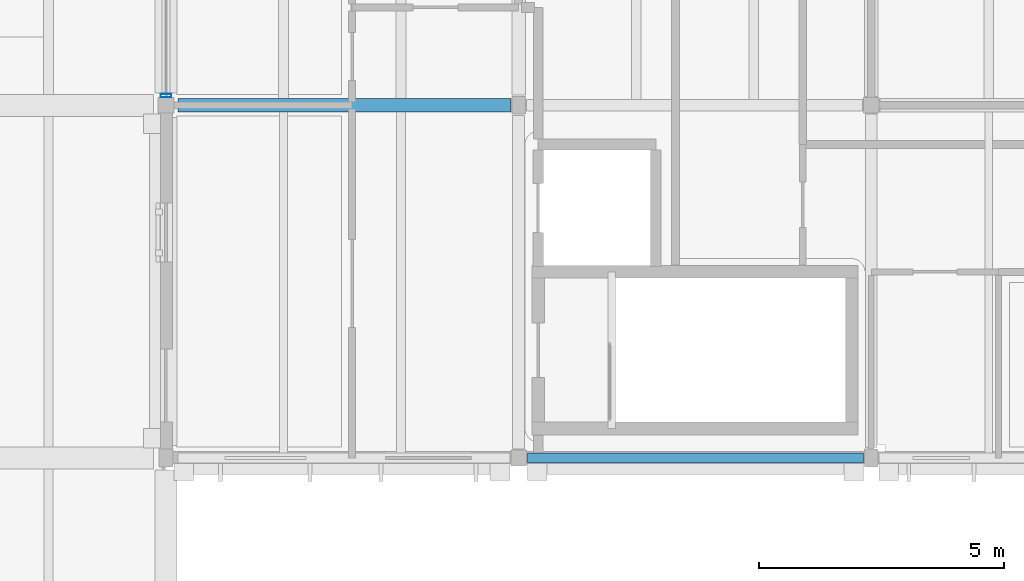
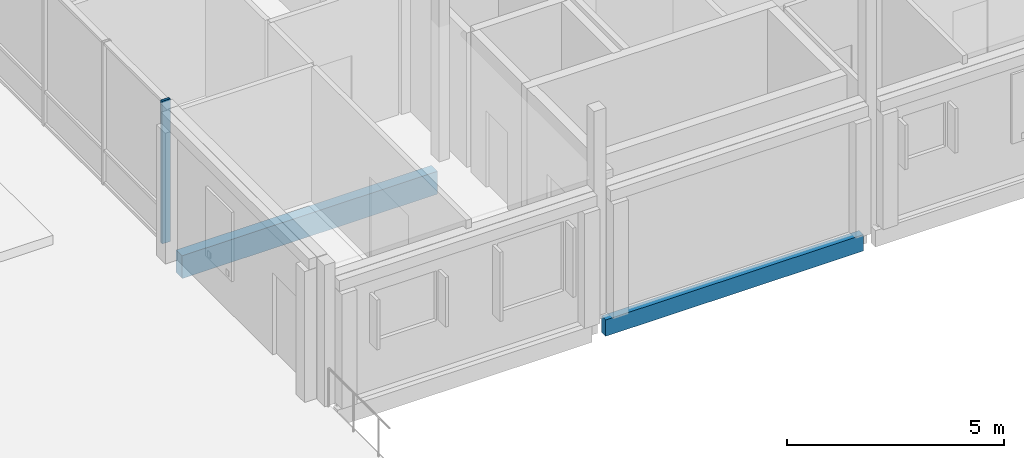
# One storey, part 48 of 115: 2 beams, 1 member, 1 element without a shape of its own.
"""IFC4 building model written with IfcOpenShell, lengths in metres."""

from ifc_helpers import new_model, si_unit, direction, frame, origin, origin_2d, place, context, subcontext, project, spatial, rectangle, hollow_rectangle, extrude, material, material_profile, profile_set, type_object, element, aggregate, save


model = new_model("IFC4")

# Units and contexts
model_context = context("Model", 3, precision=1e-05, world=origin(), true_north=direction((0.0, 1.0)))
body_context = subcontext(model_context, "Body", "Model", "MODEL_VIEW")
ifc_project = project(units=[si_unit("LENGTHUNIT", "METRE"), si_unit("AREAUNIT", "SQUARE_METRE"), si_unit("VOLUMEUNIT", "CUBIC_METRE"), si_unit("PLANEANGLEUNIT", "RADIAN"), si_unit("MASSUNIT", "GRAM", prefix="KILO")], contexts=[model_context])

# Site, building, storey
site_placement = place(None, origin())
site = spatial("IfcSite", under=ifc_project, at=site_placement, CompositionType="ELEMENT")
building_placement = place(site_placement, origin())
building = spatial("IfcBuilding", under=site, at=building_placement, Name="Hawrajan Terrace Health Centre", CompositionType="ELEMENT")
storey_placement = place(building_placement, frame((0.0, 0.0, 9.0)))
storey = spatial("IfcBuildingStorey", under=building, at=storey_placement, Name="L02", CompositionType="ELEMENT", Elevation=9.0)

# Curtain wall, member
ifc_material_1 = material(Name="Anodized bronze aluminium and low-E solar glazing", Category="aluminium")
curtain_wall_type = type_object("IfcCurtainWallType", Name="CW_Court_SeriesA2", PredefinedType="USERDEFINED", material=ifc_material_1)
curtain_wall_placement = place(storey_placement, origin())
curtain_wall = element("IfcCurtainWall", 1, at=curtain_wall_placement, inside=storey, type_object=curtain_wall_type, Name="Curtain wall CW-L02-146", ObjectType="UNITISED CURTAIN WALL", PredefinedType="USERDEFINED")
ifc_material_2 = material(Name="Anodized bronze aluminium 6063-T6", Category="aluminium")
ifc_material_profile_1 = material_profile(ifc_material_2, hollow_rectangle(XDim=0.074951171875, YDim=0.219970703125, WallThickness=0.0048828125, at=origin_2d()), Name="CW MUL 75x220")
ifc_profile_set_1 = profile_set([ifc_material_profile_1], Name="Anodized bronze aluminium 6063-T6")
member_type = type_object("IfcMemberType", Name="CWMullion_75x220", PredefinedType="MULLION", material=ifc_profile_set_1)
member_placement = place(storey_placement, frame((143.800048828125, 18.797607421875, -0.0048828125), z_axis=(0.0, 0.0, 1.0), x_axis=(0.0, 1.0, 0.0)))
member = element("IfcMember", 2, at=member_placement, type_object=member_type, Name="Mullion CW-L02-146-M1", PredefinedType="MULLION", context=body_context, shape_type="SweptSolid", body=[
    extrude(hollow_rectangle(XDim=0.074951171875, YDim=0.219970703125, WallThickness=0.0048828125, at=origin_2d()), origin(), (0.0, 0.0, 1.0), 4.009765625),
])
aggregate(curtain_wall, [member])

# Beams
ifc_material_3 = material(Name="Glulam GL32h", Category="wood")
ifc_material_profile_2 = material_profile(ifc_material_3, rectangle(XDim=0.280029296875, YDim=0.639892578125, at=origin_2d()), Name="GL BM 280x640")
ifc_profile_set_2 = profile_set([ifc_material_profile_2], Name="Glulam GL32h")
beam_type_1 = type_object("IfcBeamType", Name="GlulamGirder_280x640", PredefinedType="BEAM", material=ifc_profile_set_2)
beam_1_placement = place(storey_placement, frame((144.050048828125, 18.60009765625, -0.60009765625), z_axis=(1.0, 0.0, 0.0), x_axis=(0.0, 1.0, 0.0)))
element("IfcBeam", 3, at=beam_1_placement, inside=storey, type_object=beam_type_1, Name="Beam BM-X-L02-E-19-Y3", PredefinedType="BEAM", context=body_context, shape_type="SweptSolid", body=[
    extrude(rectangle(XDim=0.280029296875, YDim=0.639892578125, at=origin_2d()), origin(), (0.0, 0.0, 1.0), 6.7900390625),
])
ifc_material_profile_3 = material_profile(ifc_material_3, rectangle(XDim=0.199951171875, YDim=0.4599609375, at=origin_2d()), Name="GL SP 200x460")
ifc_profile_set_3 = profile_set([ifc_material_profile_3], Name="Glulam GL32h")
beam_type_2 = type_object("IfcBeamType", Name="GlulamSpandrel_200x460", PredefinedType="SPANDREL", material=ifc_profile_set_3)
beam_2_placement = place(storey_placement, frame((151.179931640625, 11.39990234375, -0.469970703125), z_axis=(1.0, 0.0, 0.0), x_axis=(0.0, 1.0, 0.0)))
element("IfcBeam", 4, at=beam_2_placement, inside=storey, type_object=beam_type_2, Name="Beam BM-X-L02-E-20-Y2", PredefinedType="SPANDREL", context=body_context, shape_type="SweptSolid", body=[
    extrude(rectangle(XDim=0.199951171875, YDim=0.4599609375, at=origin_2d()), origin(), (0.0, 0.0, 1.0), 6.860107421875),
])

save(model, "model.ifc")
